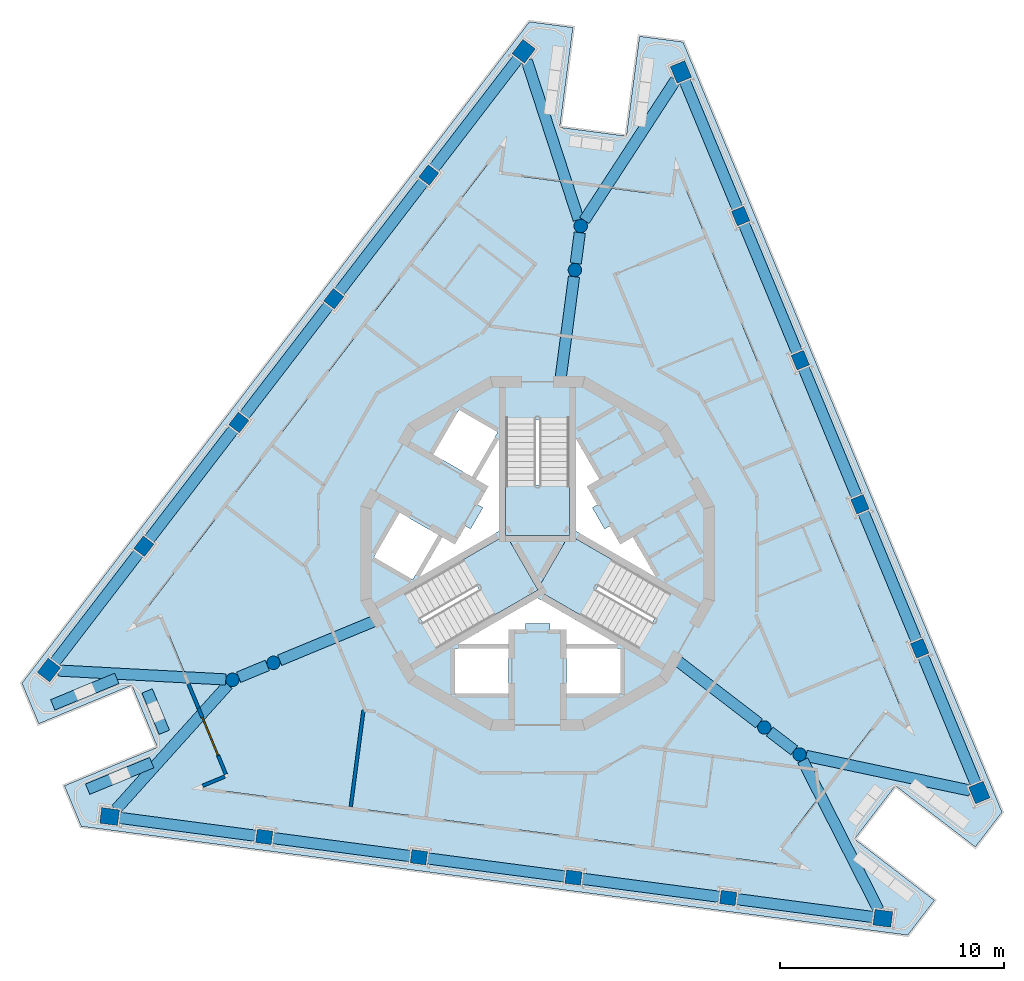
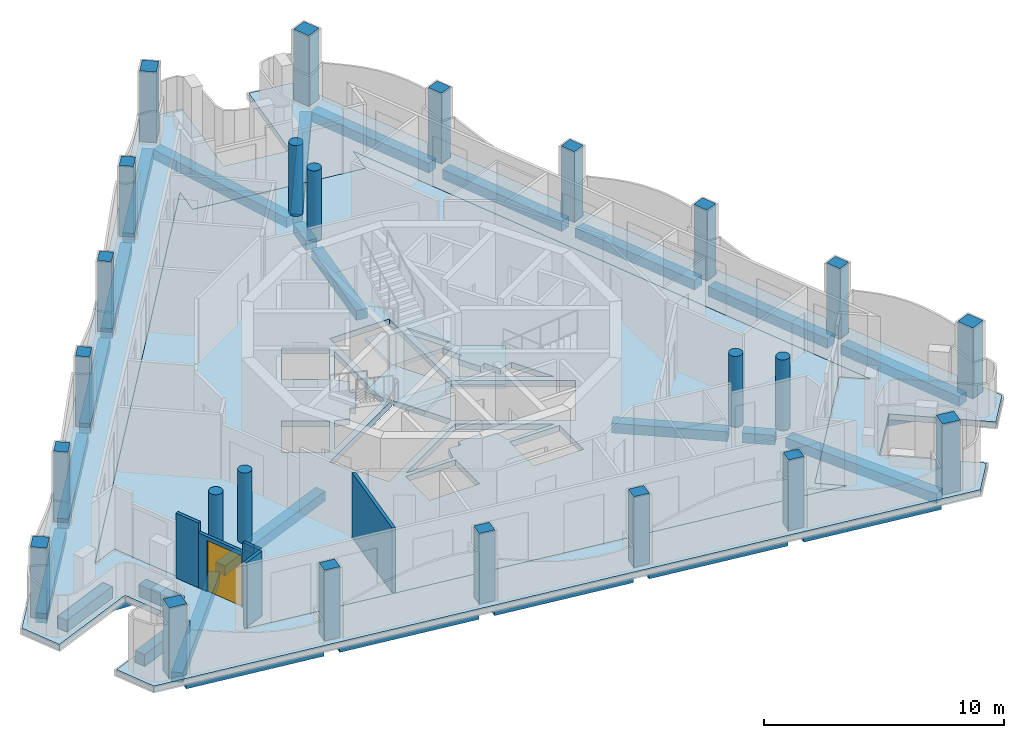
# One storey, part 1 of 13: 27 beams, 24 columns, 8 walls, 6 slabs, 1 door, 1 opening, 3 elements without a shape of their own.
"""IFC4 building model written with IfcOpenShell, lengths in metres."""

from ifc_helpers import new_model, si_unit, direction, frame, frame_2d, origin, origin_2d, place, context, subcontext, project, spatial, polyline, rectangle, circle, outline, extrude, material, layer, layer_set, material_profile, profile_set, type_object, element, fill, aggregate, save


model = new_model("IFC4")

# Units and contexts
model_context = context("Model", 3, precision=1e-05, world=origin(), true_north=direction((0.0, 1.0)))
body_context = subcontext(model_context, "Body", "Model", "MODEL_VIEW")
ifc_project = project(units=[si_unit("LENGTHUNIT", "METRE"), si_unit("AREAUNIT", "SQUARE_METRE"), si_unit("VOLUMEUNIT", "CUBIC_METRE"), si_unit("PLANEANGLEUNIT", "RADIAN"), si_unit("MASSUNIT", "GRAM", prefix="KILO")], contexts=[model_context])

# Site, building, storey
site_placement = place(None, origin())
site = spatial("IfcSite", under=ifc_project, at=site_placement, CompositionType="ELEMENT")
building_placement = place(site_placement, origin())
building = spatial("IfcBuilding", under=site, at=building_placement, Name="Trine Commons Tower", CompositionType="ELEMENT")
storey_placement = place(building_placement, frame((0.0, 0.0, 286.199951171875)))
storey = spatial("IfcBuildingStorey", under=building, at=storey_placement, Name="L75", CompositionType="ELEMENT", Elevation=286.199951171875)

# Columns
ifc_material_1 = material(Name="Concrete C50/60", Category="concrete")
ifc_material_profile_1 = material_profile(ifc_material_1, rectangle(XDim=0.699951171875, YDim=0.60009765625, at=origin_2d()), Name="RC 700x600")
ifc_profile_set_1 = profile_set([ifc_material_profile_1], Name="Concrete C50/60")
column_type_1 = type_object("IfcColumnType", Name="RC column 700x600, C50/60", PredefinedType="COLUMN", material=ifc_profile_set_1)
for number, where, z_axis, x_axis, name in (
    (1, (88.521728515625, 47.098876953125, 0.0), (0.0, 0.0, 1.0), (-0.991444861374, 0.13052619222, 0.0), "Column PC8-02 L75"),
    (2, (81.608642578125, 48.009033203125, 0.0), (0.0, 0.0, 1.0), (-0.991444861374, 0.13052619222, 0.0), "Column PC8-03 L75"),
    (3, (74.695556640625, 48.919189453125, 0.0), (0.0, 0.0, 1.0), (-0.991444861374, 0.13052619222, 0.0), "Column PC8-04 L75"),
    (4, (67.782470703125, 49.8291015625, 0.0), (0.0, 0.0, 1.0), (-0.991444861374, 0.13052619222, 0.0), "Column PC8-05 L75"),
    (5, (62.4013671875, 62.820556640625, 0.0), (0.0, 0.0, 1.0), (0.608761429009, 0.793353340291, 0.0), "Column PC8-08 L75"),
    (6, (66.64599609375, 68.352294921875, 0.0), (0.0, 0.0, 1.0), (0.608761429009, 0.793353340291, 0.0), "Column PC8-09 L75"),
    (7, (70.890869140625, 73.88427734375, 0.0), (0.0, 0.0, 1.0), (0.608761429009, 0.793353340291, 0.0), "Column PC8-10 L75"),
    (8, (75.135498046875, 79.416015625, 0.0), (0.0, 0.0, 1.0), (0.608761429009, 0.793353340291, 0.0), "Column PC8-11 L75"),
    (9, (89.076904296875, 77.58056640625, 0.0), (0.0, 0.0, 1.0), (-0.382683432365, 0.923879532511, 0.0), "Column PC8-14 L75"),
    (10, (91.745361328125, 71.138671875, 0.0), (0.0, 0.0, 1.0), (-0.382683432365, 0.923879532511, 0.0), "Column PC8-15 L75"),
    (11, (94.41357421875, 64.69677734375, 0.0), (0.0, 0.0, 1.0), (-0.382683432365, 0.923879532511, 0.0), "Column PC8-16 L75"),
    (12, (97.081787109375, 58.254638671875, 0.0), (0.0, 0.0, 1.0), (-0.382683432365, 0.923879532511, 0.0), "Column PC8-17 L75"),
):
    element("IfcColumn", number, at=place(storey_placement, frame(where, z_axis=z_axis, x_axis=x_axis)), inside=storey, type_object=column_type_1, Name=name, PredefinedType="COLUMN", context=body_context, shape_type="SweptSolid", body=[
        extrude(rectangle(XDim=0.699951171875, YDim=0.60009765625, at=origin_2d()), origin(), (0.0, 0.0, 1.0), 3.60009765625),
    ])
ifc_material_profile_2 = material_profile(ifc_material_1, rectangle(XDim=0.800048828125, YDim=0.699951171875, at=origin_2d()), Name="RC 800x700")
ifc_profile_set_2 = profile_set([ifc_material_profile_2], Name="Concrete C50/60")
column_type_2 = type_object("IfcColumnType", Name="RC column 800x700, C50/60", PredefinedType="COLUMN", material=ifc_profile_set_2)
for number, where, z_axis, x_axis, name in (
    (13, (95.434814453125, 46.188720703125, 0.0), (0.0, 0.0, 1.0), (-0.991444861374, 0.13052619222, 0.0), "Column PC8-01 L75"),
    (14, (60.869384765625, 50.7392578125, 0.0), (0.0, 0.0, 1.0), (-0.991444861374, 0.13052619222, 0.0), "Column PC8-06 L75"),
    (15, (58.156494140625, 57.288818359375, 0.0), (0.0, 0.0, 1.0), (0.608761429009, 0.793353340291, 0.0), "Column PC8-07 L75"),
    (16, (79.380126953125, 84.947998046875, 0.0), (0.0, 0.0, 1.0), (0.608761429009, 0.793353340291, 0.0), "Column PC8-12 L75"),
    (17, (86.40869140625, 84.022705078125, 0.0), (0.0, 0.0, 1.0), (-0.382683432365, 0.923879532511, 0.0), "Column PC8-13 L75"),
    (18, (99.750244140625, 51.812744140625, 0.0), (0.0, 0.0, 1.0), (-0.382683432365, 0.923879532511, 0.0), "Column PC8-18 L75"),
):
    element("IfcColumn", number, at=place(storey_placement, frame(where, z_axis=z_axis, x_axis=x_axis)), inside=storey, type_object=column_type_2, Name=name, PredefinedType="COLUMN", context=body_context, shape_type="SweptSolid", body=[
        extrude(rectangle(XDim=0.800048828125, YDim=0.699951171875, at=origin_2d()), origin(), (0.0, 0.0, 1.0), 3.60009765625),
    ])
ifc_material_profile_3 = material_profile(ifc_material_1, circle(Radius=0.300048828125, at=origin_2d()), Name="RC round 600")
ifc_profile_set_3 = profile_set([ifc_material_profile_3], Name="Concrete C50/60")
column_type_3 = type_object("IfcColumnType", Name="RC round column 600 mm, C50/60", PredefinedType="COLUMN", material=ifc_profile_set_3)
for number, where, z_axis, x_axis, name in (
    (19, (90.137451171875, 54.72119140625, 0.0), (0.0, 0.0, 1.0), (1.0, 0.0, 0.0), "Column WC8-1 L75"),
    (20, (91.711669921875, 53.513427734375, 0.0), (0.0, 0.0, 1.0), (1.0, 0.0, 0.0), "Column WC8-2 L75"),
    (21, (81.66796875, 75.168701171875, 0.0), (0.0, 0.0, 1.0), (1.0, 0.0, 0.0), "Column WC8-3 L75"),
    (22, (81.927001953125, 77.135986328125, 0.0), (0.0, 0.0, 1.0), (1.0, 0.0, 0.0), "Column WC8-4 L75"),
    (23, (68.194580078125, 57.610107421875, 0.0), (0.0, 0.0, 1.0), (1.0, 0.0, 0.0), "Column WC8-5 L75"),
    (24, (66.361572265625, 56.850830078125, 0.0), (0.0, 0.0, 1.0), (1.0, 0.0, 0.0), "Column WC8-6 L75"),
):
    element("IfcColumn", number, at=place(storey_placement, frame(where, z_axis=z_axis, x_axis=x_axis)), inside=storey, type_object=column_type_3, Name=name, PredefinedType="COLUMN", context=body_context, shape_type="SweptSolid", body=[
        extrude(circle(Radius=0.300048828125, at=origin_2d()), origin(), (0.0, 0.0, 1.0), 3.60009765625),
    ])

# Beams
ifc_material_2 = material(Name="Concrete C40/50", Category="concrete")
ifc_material_profile_4 = material_profile(ifc_material_2, rectangle(XDim=0.5, YDim=0.5, at=origin_2d()), Name="RC 500x500")
ifc_profile_set_4 = profile_set([ifc_material_profile_4], Name="Concrete C40/50")
beam_type = type_object("IfcBeamType", Name="RC beam 500x500, C40/50", PredefinedType="BEAM", material=ifc_profile_set_4)
beam_1_placement = place(storey_placement, frame((95.0380859375, 46.240966796875, -0.550048828125), z_axis=(-0.991444143506, 0.130531644853, 0.0), x_axis=(-0.130531644853, -0.991444143506, 0.0)))
element("IfcBeam", 25, at=beam_1_placement, inside=storey, type_object=beam_type, Name="Beam EB8-01 L75", PredefinedType="BEAM", context=body_context, shape_type="SweptSolid", body=[
    extrude(rectangle(XDim=0.5, YDim=0.5, at=origin_2d()), origin(), (0.0, 0.0, 1.0), 6.22265625),
])
beam_2_placement = place(storey_placement, frame((88.1748046875, 47.14453125, -0.550048828125), z_axis=(-0.9914427663, 0.130542104902, 0.0), x_axis=(-0.130542104902, -0.9914427663, 0.0)))
element("IfcBeam", 26, at=beam_2_placement, inside=storey, type_object=beam_type, Name="Beam EB8-02 L75", PredefinedType="BEAM", context=body_context, shape_type="SweptSolid", body=[
    extrude(rectangle(XDim=0.5, YDim=0.5, at=origin_2d()), origin(), (0.0, 0.0, 1.0), 6.272705078125),
])
for number, where, z_axis, x_axis, name in (
    (27, (81.26171875, 48.0546875, -0.550048828125), (-0.991448465824, 0.130498810784, 0.0), (-0.130498810784, -0.991448465824, 0.0), "Beam EB8-03 L75"),
    (28, (74.3486328125, 48.96484375, -0.550048828125), (-0.991448465824, 0.130498810784, 0.0), (-0.130498810784, -0.991448465824, 0.0), "Beam EB8-04 L75"),
):
    element("IfcBeam", number, at=place(storey_placement, frame(where, z_axis=z_axis, x_axis=x_axis)), inside=storey, type_object=beam_type, Name=name, PredefinedType="BEAM", context=body_context, shape_type="SweptSolid", body=[
        extrude(rectangle(XDim=0.5, YDim=0.5, at=origin_2d()), origin(), (0.0, 0.0, 1.0), 6.27294921875),
    ])
for number, where, z_axis, x_axis, name in (
    (29, (67.435546875, 49.875, -0.550048828125), (-0.991449220248, 0.130493079009, 0.0), (-0.130493079009, -0.991449220248, 0.0), "Beam EB8-05 L75"),
    (30, (58.400146484375, 57.60595703125, -0.550048828125), (0.60875848978, 0.793355595632, 0.0), (-0.793355595632, 0.60875848978, 0.0), "Beam EB8-06 L75"),
):
    element("IfcBeam", number, at=place(storey_placement, frame(where, z_axis=z_axis, x_axis=x_axis)), inside=storey, type_object=beam_type, Name=name, PredefinedType="BEAM", context=body_context, shape_type="SweptSolid", body=[
        extrude(rectangle(XDim=0.5, YDim=0.5, at=origin_2d()), origin(), (0.0, 0.0, 1.0), 6.22265625),
    ])
for number, where, z_axis, x_axis, name in (
    (31, (62.614501953125, 63.09814453125, -0.550048828125), (0.608756693169, 0.793356974206, 0.0), (-0.793356974206, 0.608756693169, 0.0), "Beam EB8-07 L75"),
    (32, (66.859130859375, 68.630126953125, -0.550048828125), (0.608775490712, 0.793342550169, 0.0), (-0.793342550169, 0.608775490712, 0.0), "Beam EB8-08 L75"),
):
    element("IfcBeam", number, at=place(storey_placement, frame(where, z_axis=z_axis, x_axis=x_axis)), inside=storey, type_object=beam_type, Name=name, PredefinedType="BEAM", context=body_context, shape_type="SweptSolid", body=[
        extrude(rectangle(XDim=0.5, YDim=0.5, at=origin_2d()), origin(), (0.0, 0.0, 1.0), 6.272705078125),
    ])
beam_3_placement = place(storey_placement, frame((71.10400390625, 74.161865234375, -0.550048828125), z_axis=(0.608750992772, 0.793361348188, 0.0), x_axis=(-0.793361348188, 0.608750992772, 0.0)))
element("IfcBeam", 33, at=beam_3_placement, inside=storey, type_object=beam_type, Name="Beam EB8-09 L75", PredefinedType="BEAM", context=body_context, shape_type="SweptSolid", body=[
    extrude(rectangle(XDim=0.5, YDim=0.5, at=origin_2d()), origin(), (0.0, 0.0, 1.0), 6.2724609375),
])
beam_4_placement = place(storey_placement, frame((75.3486328125, 79.693603515625, -0.550048828125), z_axis=(0.60873954155, 0.793370134649, 0.0), x_axis=(-0.793370134649, 0.60873954155, 0.0)))
element("IfcBeam", 34, at=beam_4_placement, inside=storey, type_object=beam_type, Name="Beam EB8-10 L75", PredefinedType="BEAM", context=body_context, shape_type="SweptSolid", body=[
    extrude(rectangle(XDim=0.5, YDim=0.5, at=origin_2d()), origin(), (0.0, 0.0, 1.0), 6.222900390625),
])
beam_5_placement = place(storey_placement, frame((86.561767578125, 83.653076171875, -0.550048828125), z_axis=(0.382686748804, -0.92387815879, 0.0), x_axis=(0.92387815879, 0.382686748804, 0.0)))
element("IfcBeam", 35, at=beam_5_placement, inside=storey, type_object=beam_type, Name="Beam EB8-11 L75", PredefinedType="BEAM", context=body_context, shape_type="SweptSolid", body=[
    extrude(rectangle(XDim=0.5, YDim=0.5, at=origin_2d()), origin(), (0.0, 0.0, 1.0), 6.22265625),
])
beam_6_placement = place(storey_placement, frame((89.210693359375, 77.257080078125, -0.550048828125), z_axis=(0.382724191967, -0.923862648278, 0.0), x_axis=(0.923862648278, 0.382724191967, 0.0)))
element("IfcBeam", 36, at=beam_6_placement, inside=storey, type_object=beam_type, Name="Beam EB8-12 L75", PredefinedType="BEAM", context=body_context, shape_type="SweptSolid", body=[
    extrude(rectangle(XDim=0.5, YDim=0.5, at=origin_2d()), origin(), (0.0, 0.0, 1.0), 6.2724609375),
])
for number, where, z_axis, x_axis, name in (
    (37, (91.879150390625, 70.815185546875, -0.550048828125), (0.38271043005, -0.923868349242, 0.0), (0.923868349242, 0.38271043005, 0.0), "Beam EB8-13 L75"),
    (38, (94.547607421875, 64.373291015625, -0.550048828125), (0.38267720894, -0.923882110314, 0.0), (0.923882110314, 0.38267720894, 0.0), "Beam EB8-14 L75"),
):
    element("IfcBeam", number, at=place(storey_placement, frame(where, z_axis=z_axis, x_axis=x_axis)), inside=storey, type_object=beam_type, Name=name, PredefinedType="BEAM", context=body_context, shape_type="SweptSolid", body=[
        extrude(rectangle(XDim=0.5, YDim=0.5, at=origin_2d()), origin(), (0.0, 0.0, 1.0), 6.272705078125),
    ])
beam_7_placement = place(storey_placement, frame((97.2158203125, 57.931396484375, -0.550048828125), z_axis=(0.382686748804, -0.92387815879, 0.0), x_axis=(0.92387815879, 0.382686748804, 0.0)))
element("IfcBeam", 39, at=beam_7_placement, inside=storey, type_object=beam_type, Name="Beam EB8-15 L75", PredefinedType="BEAM", context=body_context, shape_type="SweptSolid", body=[
    extrude(rectangle(XDim=0.5, YDim=0.5, at=origin_2d()), origin(), (0.0, 0.0, 1.0), 6.22265625),
])
beam_8_placement = place(storey_placement, frame((61.1533203125, 51.054931640625, -0.550048828125), z_axis=(0.668383038107, 0.743817258721, 0.0), x_axis=(-0.743817258721, 0.668383038107, 0.0)))
element("IfcBeam", 40, at=beam_8_placement, inside=storey, type_object=beam_type, Name="Beam CB8-01 L75", PredefinedType="BEAM", context=body_context, shape_type="SweptSolid", body=[
    extrude(rectangle(XDim=0.5, YDim=0.5, at=origin_2d()), origin(), (0.0, 0.0, 1.0), 7.492431640625),
])
beam_9_placement = place(storey_placement, frame((58.580322265625, 57.26611328125, -0.550048828125), z_axis=(0.998578123195, -0.053307896938, 0.0), x_axis=(0.053307896938, 0.998578123195, 0.0)))
element("IfcBeam", 41, at=beam_9_placement, inside=storey, type_object=beam_type, Name="Beam CB8-02 L75", PredefinedType="BEAM", context=body_context, shape_type="SweptSolid", body=[
    extrude(rectangle(XDim=0.5, YDim=0.5, at=origin_2d()), origin(), (0.0, 0.0, 1.0), 7.49267578125),
])
for number, where, z_axis, x_axis, name in (
    (42, (79.51171875, 84.54443359375, -0.550048828125), (0.309945045927, -0.950754473303, 0.0), (0.950754473303, 0.309945045927, 0.0), "Beam CB8-03 L75"),
    (43, (86.177001953125, 83.6669921875, -0.550048828125), (-0.545439536042, -0.838150173013, 0.0), (0.838150173013, -0.545439536042, 0.0), "Beam CB8-04 L75"),
):
    element("IfcBeam", number, at=place(storey_placement, frame(where, z_axis=z_axis, x_axis=x_axis)), inside=storey, type_object=beam_type, Name=name, PredefinedType="BEAM", context=body_context, shape_type="SweptSolid", body=[
        extrude(rectangle(XDim=0.5, YDim=0.5, at=origin_2d()), origin(), (0.0, 0.0, 1.0), 7.492431640625),
    ])
beam_10_placement = place(storey_placement, frame((99.335205078125, 51.900634765625, -0.550048828125), z_axis=(-0.978346023525, 0.206975984727, 0.0), x_axis=(-0.206975984727, -0.978346023525, 0.0)))
element("IfcBeam", 44, at=beam_10_placement, inside=storey, type_object=beam_type, Name="Beam CB8-05 L75", PredefinedType="BEAM", context=body_context, shape_type="SweptSolid", body=[
    extrude(rectangle(XDim=0.5, YDim=0.5, at=origin_2d()), origin(), (0.0, 0.0, 1.0), 7.49267578125),
])
beam_11_placement = place(storey_placement, frame((95.242431640625, 46.56689453125, -0.550048828125), z_axis=(-0.453121168072, 0.891448936869, 0.0), x_axis=(-0.891448936869, -0.453121168072, 0.0)))
element("IfcBeam", 45, at=beam_11_placement, inside=storey, type_object=beam_type, Name="Beam CB8-06 L75", PredefinedType="BEAM", context=body_context, shape_type="SweptSolid", body=[
    extrude(rectangle(XDim=0.5, YDim=0.5, at=origin_2d()), origin(), (0.0, 0.0, 1.0), 7.492431640625),
])
beam_12_placement = place(storey_placement, frame((86.020751953125, 57.880126953125, -0.550048828125), z_axis=(0.793360362614, -0.60875227723, 0.0), x_axis=(0.60875227723, 0.793360362614, 0.0)))
element("IfcBeam", 46, at=beam_12_placement, inside=storey, type_object=beam_type, Name="Beam RB8-01 L75", PredefinedType="BEAM", context=body_context, shape_type="SweptSolid", body=[
    extrude(rectangle(XDim=0.5, YDim=0.5, at=origin_2d()), origin(), (0.0, 0.0, 1.0), 4.88916015625),
])
beam_13_placement = place(storey_placement, frame((90.375244140625, 54.538818359375, -0.550048828125), z_axis=(0.793350909005, -0.60876459751, 0.0), x_axis=(0.60876459751, 0.793350909005, 0.0)))
element("IfcBeam", 47, at=beam_13_placement, inside=storey, type_object=beam_type, Name="Beam RB8-02 L75", PredefinedType="BEAM", context=body_context, shape_type="SweptSolid", body=[
    extrude(rectangle(XDim=0.5, YDim=0.5, at=origin_2d()), origin(), (0.0, 0.0, 1.0), 1.384765625),
])
beam_14_placement = place(storey_placement, frame((80.990478515625, 70.02392578125, -0.550048828125), z_axis=(0.130570757815, 0.991438993183, 0.0), x_axis=(-0.991438993183, 0.130570757815, 0.0)))
element("IfcBeam", 48, at=beam_14_placement, inside=storey, type_object=beam_type, Name="Beam RB8-03 L75", PredefinedType="BEAM", context=body_context, shape_type="SweptSolid", body=[
    extrude(rectangle(XDim=0.5, YDim=0.5, at=origin_2d()), origin(), (0.0, 0.0, 1.0), 4.889404296875),
])
beam_15_placement = place(storey_placement, frame((81.70703125, 75.4658203125, -0.550048828125), z_axis=(0.130454512571, 0.991454295543, 0.0), x_axis=(-0.991454295543, 0.130454512571, 0.0)))
element("IfcBeam", 49, at=beam_15_placement, inside=storey, type_object=beam_type, Name="Beam RB8-04 L75", PredefinedType="BEAM", context=body_context, shape_type="SweptSolid", body=[
    extrude(rectangle(XDim=0.5, YDim=0.5, at=origin_2d()), origin(), (0.0, 0.0, 1.0), 1.384765625),
])
beam_16_placement = place(storey_placement, frame((72.98876953125, 59.595703125, -0.550048828125), z_axis=(-0.923885978684, -0.382667869556, 0.0), x_axis=(0.382667869556, -0.923885978684, 0.0)))
element("IfcBeam", 50, at=beam_16_placement, inside=storey, type_object=beam_type, Name="Beam RB8-05 L75", PredefinedType="BEAM", context=body_context, shape_type="SweptSolid", body=[
    extrude(rectangle(XDim=0.5, YDim=0.5, at=origin_2d()), origin(), (0.0, 0.0, 1.0), 4.888916015625),
])
beam_17_placement = place(storey_placement, frame((67.91748046875, 57.495361328125, -0.550048828125), z_axis=(-0.923857745483, -0.38273602667, 0.0), x_axis=(0.38273602667, -0.923857745483, 0.0)))
element("IfcBeam", 51, at=beam_17_placement, inside=storey, type_object=beam_type, Name="Beam RB8-06 L75", PredefinedType="BEAM", context=body_context, shape_type="SweptSolid", body=[
    extrude(rectangle(XDim=0.5, YDim=0.5, at=origin_2d()), origin(), (0.0, 0.0, 1.0), 1.38427734375),
])

# Slabs
ifc_layer_1 = layer(ifc_material_2, 0.300048828125)
ifc_layer_set_1 = layer_set([ifc_layer_1], Name="Concrete C40/50")
slab_type_1 = type_object("IfcSlabType", Name="Loggia slab 300 mm, C40/50", PredefinedType="FLOOR", material=ifc_layer_set_1)
slab_1_placement = place(storey_placement, frame((0.0, 0.0, -0.300048828125)))
element("IfcSlab", 52, at=slab_1_placement, inside=storey, type_object=slab_type_1, Name="Loggia slab L75", PredefinedType="FLOOR", context=body_context, shape_type="SweptSolid", body=[
    extrude(outline(polyline([(100.763916015625, 50.933837890625), (86.503662109375, 85.36083984375), (84.556396484375, 85.6171875), (83.968994140625, 81.15576171875), (80.99462890625, 81.54736328125), (81.58203125, 86.0087890625), (79.634765625, 86.26513671875), (56.9501953125, 56.701904296875), (57.70166015625, 54.88720703125), (61.859130859375, 56.609375), (63.007080078125, 53.837890625), (58.849853515625, 52.11572265625), (59.601318359375, 50.301025390625), (96.546142578125, 45.437255859375), (97.741943359375, 46.99560546875), (94.171875, 49.73486328125), (95.998046875, 52.114990234375), (99.568115234375, 49.37548828125), (100.763916015625, 50.933837890625)]), holes=[polyline([(63.158203125, 59.7451171875), (66.14306640625, 52.538818359375), (64.900390625, 52.024169921875), (91.873779296875, 48.47314453125), (90.806640625, 49.2919921875), (95.55517578125, 55.47998046875), (96.6220703125, 54.6611328125), (86.210693359375, 79.79638671875), (86.03515625, 78.462890625), (78.302001953125, 79.481201171875), (78.4775390625, 80.814697265625), (61.915283203125, 59.23046875), (63.158203125, 59.7451171875)])]), origin(), (0.0, 0.0, 1.0), 0.300048828125),
])
ifc_layer_2 = layer(ifc_material_2, 0.300048828125)
ifc_layer_set_2 = layer_set([ifc_layer_2], Name="Concrete C40/50")
slab_type_2 = type_object("IfcSlabType", Name="PT flat slab 300 mm, C40/50", PredefinedType="FLOOR", material=ifc_layer_set_2)
slab_2_placement = place(storey_placement, frame((0.0, 0.0, -0.300048828125)))
element("IfcSlab", 53, at=slab_2_placement, inside=storey, type_object=slab_type_2, Name="Floor slab L75", PredefinedType="FLOOR", context=body_context, shape_type="SweptSolid", body=[
    extrude(outline(polyline([(61.915283203125, 59.23046875), (63.158203125, 59.7451171875), (66.14306640625, 52.538818359375), (64.900390625, 52.024169921875), (91.873779296875, 48.47314453125), (90.806640625, 49.2919921875), (95.55517578125, 55.47998046875), (96.6220703125, 54.6611328125), (86.210693359375, 79.79638671875), (86.03515625, 78.462890625), (78.302001953125, 79.481201171875), (78.4775390625, 80.814697265625), (61.915283203125, 59.23046875)]), holes=[polyline([(78.699951171875, 56.25), (78.699951171875, 58.25), (76.300048828125, 58.25), (76.300048828125, 56.25), (78.699951171875, 56.25)]), polyline([(83.699951171875, 56.25), (83.699951171875, 58.25), (81.300048828125, 58.25), (81.300048828125, 56.25), (83.699951171875, 56.25)]), polyline([(81.300048828125, 58.449951171875), (83.56494140625, 58.449951171875), (80.0, 60.508056640625), (76.43505859375, 58.449951171875), (78.699951171875, 58.449951171875), (78.85009765625, 59.10009765625), (79.449951171875, 59.10009765625), (79.449951171875, 59.360107421875), (80.550048828125, 59.360107421875), (80.550048828125, 59.10009765625), (81.14990234375, 59.10009765625), (81.300048828125, 58.449951171875)]), polyline([(81.425048828125, 63.32275390625), (81.425048828125, 68.490478515625), (78.574951171875, 68.490478515625), (78.574951171875, 63.32275390625), (74.099609375, 60.73876953125), (75.5244140625, 58.2705078125), (80.0, 60.8544921875), (84.4755859375, 58.2705078125), (85.900390625, 60.73876953125), (81.425048828125, 63.32275390625)]), polyline([(72.687255859375, 62.333984375), (74.41943359375, 61.333984375), (75.5693359375, 63.325927734375), (73.83740234375, 64.325927734375), (72.687255859375, 62.333984375)]), polyline([(76.381103515625, 63.031005859375), (75.742919921875, 63.22607421875), (74.7099609375, 61.43798828125), (78.27490234375, 63.49609375), (78.27490234375, 67.612060546875), (77.242919921875, 65.823974609375), (77.73095703125, 65.368896484375), (77.3310546875, 64.676025390625), (77.555908203125, 64.5458984375), (77.006103515625, 63.593994140625), (76.781005859375, 63.722900390625), (76.381103515625, 63.031005859375)]), polyline([(82.993896484375, 63.593994140625), (82.444091796875, 64.5458984375), (82.72705078125, 64.7099609375), (82.281005859375, 65.549072265625), (82.757080078125, 65.823974609375), (81.72509765625, 67.612060546875), (81.72509765625, 63.49609375), (85.2900390625, 61.43798828125), (84.257080078125, 63.22607421875), (83.618896484375, 63.031005859375), (83.243896484375, 63.738037109375), (82.993896484375, 63.593994140625)]), polyline([(76.4873046875, 68.916015625), (75.33740234375, 66.924072265625), (77.0693359375, 65.924072265625), (78.219482421875, 67.916015625), (76.4873046875, 68.916015625)])]), origin(), (0.0, 0.0, 1.0), 0.300048828125),
])
slab_3_placement = place(storey_placement, frame((0.0, 0.0, -0.300048828125)))
element("IfcSlab", 54, at=slab_3_placement, inside=storey, type_object=slab_type_2, Name="Floor slab L75 2", PredefinedType="FLOOR", context=body_context, shape_type="SweptSolid", body=[
    extrude(outline(polyline([(81.38671875, 63.300537109375), (78.61328125, 63.300537109375), (80.0, 60.89892578125), (81.38671875, 63.300537109375)])), origin(), (0.0, 0.0, 1.0), 0.300048828125),
])

# Stair, slab
stair_type = type_object("IfcStairType", Name="Exit stair, dog-leg, 24 risers of 150 mm", PredefinedType="HALF_TURN_STAIR", material=ifc_material_1)
stair_1_placement = place(storey_placement, origin())
stair_1 = element("IfcStair", 55, at=stair_1_placement, inside=storey, type_object=stair_type, Name="L75 Exit stair ST1D", PredefinedType="HALF_TURN_STAIR")
ifc_layer_3 = layer(ifc_material_1, 0.199951171875)
ifc_layer_set_3 = layer_set([ifc_layer_3], Name="Concrete C50/60")
slab_type_3 = type_object("IfcSlabType", Name="Stair landing slab 200 mm, C50/60", PredefinedType="LANDING", material=ifc_layer_set_3)
slab_4_placement = place(storey_placement, frame((0.0, 0.0, 1.60009765625)))
slab_4 = element("IfcSlab", 56, at=slab_4_placement, type_object=slab_type_3, Name="ST1D landing 1", PredefinedType="LANDING", context=body_context, shape_type="SweptSolid", body=[
    extrude(outline(polyline([(78.574951171875, 65.570556640625), (78.574951171875, 63.300537109375), (81.425048828125, 63.300537109375), (81.425048828125, 65.570556640625), (78.574951171875, 65.570556640625)])), origin(), (0.0, 0.0, 1.0), 0.199951171875),
])
aggregate(stair_1, [slab_4])

stair_2_placement = place(storey_placement, origin())
stair_2 = element("IfcStair", 57, at=stair_2_placement, inside=storey, type_object=stair_type, Name="L75 Exit stair ST2D", PredefinedType="HALF_TURN_STAIR")
slab_5_placement = place(storey_placement, frame((0.0, 0.0, 1.60009765625)))
slab_5 = element("IfcSlab", 58, at=slab_5_placement, type_object=slab_type_3, Name="ST2D landing 1", PredefinedType="LANDING", context=body_context, shape_type="SweptSolid", body=[
    extrude(outline(polyline([(78.05322265625, 59.730712890625), (80.019287109375, 60.86572265625), (78.59423828125, 63.333740234375), (76.628173828125, 62.19873046875), (78.05322265625, 59.730712890625)])), origin(), (0.0, 0.0, 1.0), 0.199951171875),
])
aggregate(stair_2, [slab_5])

stair_3_placement = place(storey_placement, origin())
stair_3 = element("IfcStair", 59, at=stair_3_placement, inside=storey, type_object=stair_type, Name="L75 Exit stair ST3D", PredefinedType="HALF_TURN_STAIR")
slab_6_placement = place(storey_placement, frame((0.0, 0.0, 1.60009765625)))
slab_6 = element("IfcSlab", 60, at=slab_6_placement, type_object=slab_type_3, Name="ST3D landing 1", PredefinedType="LANDING", context=body_context, shape_type="SweptSolid", body=[
    extrude(outline(polyline([(83.371826171875, 62.19873046875), (81.40576171875, 63.333740234375), (79.980712890625, 60.86572265625), (81.94677734375, 59.730712890625), (83.371826171875, 62.19873046875)])), origin(), (0.0, 0.0, 1.0), 0.199951171875),
])
aggregate(stair_3, [slab_6])

# Walls
ifc_material_3 = material(Name="Aluminium-framed insulated wall panel", Category="aluminium")
ifc_layer_4 = layer(ifc_material_3, 0.14990234375)
ifc_layer_set_4 = layer_set([ifc_layer_4], Name="Aluminium-framed insulated wall panel")
wall_type_1 = type_object("IfcWallType", Name="Glazed frame wall 150, EI 60", PredefinedType="SOLIDWALL", material=ifc_layer_set_4)
wall_1_placement = place(storey_placement, frame((64.886962890625, 52.056396484375, 0.0), z_axis=(0.0, 0.0, 1.0), x_axis=(0.923837625967, 0.382784588048, 0.0)))
element("IfcWall", 61, at=wall_1_placement, inside=storey, type_object=wall_type_1, Name="Glazed frame wall R10", PredefinedType="SOLIDWALL", context=body_context, shape_type="SweptSolid", body=[
    extrude(outline(polyline([(0.1494140625, 0.074951171875), (0.1494140625, -0.074951171875), (1.235107421875, -0.074951171875), (1.235107421875, 0.074951171875), (0.1494140625, 0.074951171875)])), origin(), (0.0, 0.0, 1.0), 3.300048828125),
])
wall_2_placement = place(storey_placement, frame((66.110595703125, 52.525390625, 0.0), z_axis=(0.0, 0.0, 1.0), x_axis=(-0.382517086072, 0.923948417858, 0.0)))
element("IfcWall", 62, at=wall_2_placement, inside=storey, type_object=wall_type_1, Name="Glazed frame wall P3.1", PredefinedType="SOLIDWALL", context=body_context, shape_type="SweptSolid", body=[
    extrude(outline(polyline([(0.110107421875, -0.074951171875), (1.0, -0.074951171875), (1.0, 0.074951171875), (0.110107421875, 0.074951171875), (0.110107421875, -0.074951171875)])), origin(), (0.0, 0.0, 1.0), 3.300048828125),
])

# Wall, opening, door
wall_3_placement = place(storey_placement, frame((65.72802734375, 53.449462890625, 0.0), z_axis=(0.0, 0.0, 1.0), x_axis=(-0.382693948857, 0.923875176368, 0.0)))
wall_3 = element("IfcWall", 63, at=wall_3_placement, inside=storey, type_object=wall_type_1, Name="Glazed frame wall P3.2", PredefinedType="SOLIDWALL", context=body_context, shape_type="SweptSolid", body=[
    extrude(outline(polyline([(0.0, -0.074951171875), (2.310791015625, -0.074951171875), (2.310791015625, 0.074951171875), (0.0, 0.074951171875), (0.0, -0.074951171875)])), origin(), (0.0, 0.0, 1.0), 2.800048828125),
])
opening_placement = place(wall_3_placement, frame((0.050048828125, 0.0, 0.0)))
opening = element("IfcOpeningElement", 64, at=opening_placement, cuts=wall_3, Name="Opening BD-8P3-01", PredefinedType="OPENING", context=body_context, shape_type="SweptSolid", body=[
    extrude(rectangle(XDim=1.800048828125, YDim=2.60009765625, at=frame_2d((0.89990234375, 1.300048828125))), frame((0.0, 0.0849609375, 0.0), z_axis=(0.0, -1.0, 0.0), x_axis=(1.0, 0.0, 0.0)), (0.0, 0.0, 1.0), 0.169921875),
])
ifc_material_4 = material(Name="Anodised aluminium frame with double glazing", Category="aluminium")
door_type = type_object("IfcDoorType", Name="Sliding loggia door 1800x2600", OperationType="SLIDING_TO_LEFT", PredefinedType="DOOR", material=ifc_material_4)
door_placement = place(opening_placement, origin())
door = element("IfcDoor", 65, at=door_placement, inside=storey, type_object=door_type, Name="Loggia door P3 1", OperationType="SLIDING_TO_LEFT", OverallHeight=2.60009765625, OverallWidth=1.800048828125, PredefinedType="DOOR", context=body_context, shape_type="SweptSolid", body=[
    extrude(rectangle(XDim=1.800048828125, YDim=2.60009765625, at=frame_2d((0.89990234375, 1.300048828125))), frame((0.0, 0.02490234375, 0.0), z_axis=(0.0, -1.0, 0.0), x_axis=(1.0, 0.0, 0.0)), (0.0, 0.0, 1.0), 0.050048828125),
])
fill(opening, door)

# Walls
wall_4_placement = place(storey_placement, frame((64.84375, 55.584228515625, 0.0), z_axis=(0.0, 0.0, 1.0), x_axis=(-0.382790839847, 0.923835035561, 0.0)))
element("IfcWall", 66, at=wall_4_placement, inside=storey, type_object=wall_type_1, Name="Glazed frame wall P3.3", PredefinedType="SOLIDWALL", context=body_context, shape_type="SweptSolid", body=[
    extrude(outline(polyline([(0.0, -0.074951171875), (1.1787109375, -0.074951171875), (1.1787109375, 0.074951171875), (0.0, 0.074951171875), (0.0, -0.074951171875)])), origin(), (0.0, 0.0, 1.0), 3.300048828125),
])
ifc_material_5 = material(Name="Planter trough, precast concrete C40/50", Category="concrete")
ifc_layer_5 = layer(ifc_material_5, 0.5)
ifc_layer_set_5 = layer_set([ifc_layer_5], Name="Planter trough, precast concrete C40/50")
wall_type_2 = type_object("IfcWallType", Name="Planter trough 500x600", PredefinedType="PARAPET", material=ifc_layer_set_5)
wall_5_placement = place(storey_placement, frame((59.887939453125, 51.961181640625, 0.0), z_axis=(0.0, 0.0, 1.0), x_axis=(0.923883411188, 0.382674068277, 0.0)))
element("IfcWall", 67, at=wall_5_placement, inside=storey, type_object=wall_type_2, Name="Planter 1", PredefinedType="PARAPET", context=body_context, shape_type="SweptSolid", body=[
    extrude(rectangle(XDim=3.099853515625, YDim=0.5, at=frame_2d((1.5498046875, 0.0))), origin(), (0.0, 0.0, 1.0), 0.60009765625),
])
wall_6_placement = place(storey_placement, frame((63.314697265625, 54.50634765625, 0.0), z_axis=(0.0, 0.0, 1.0), x_axis=(-0.382707581205, 0.923869529365, 0.0)))
element("IfcWall", 68, at=wall_6_placement, inside=storey, type_object=wall_type_2, Name="Planter 2", PredefinedType="PARAPET", context=body_context, shape_type="SweptSolid", body=[
    extrude(rectangle(XDim=2.0, YDim=0.5, at=frame_2d((1.0, 0.0))), origin(), (0.0, 0.0, 1.0), 0.60009765625),
])
wall_7_placement = place(storey_placement, frame((61.190673828125, 56.9169921875, 0.0), z_axis=(0.0, 0.0, 1.0), x_axis=(-0.923883411188, -0.382674068277, 0.0)))
element("IfcWall", 69, at=wall_7_placement, inside=storey, type_object=wall_type_2, Name="Planter 3", PredefinedType="PARAPET", context=body_context, shape_type="SweptSolid", body=[
    extrude(rectangle(XDim=3.099853515625, YDim=0.5, at=frame_2d((1.5498046875, 0.0))), origin(), (0.0, 0.0, 1.0), 0.60009765625),
])
ifc_material_6 = material(Name="Gypsum plasterboard on steel stud", Category="steel")
ifc_layer_6 = layer(ifc_material_6, 0.14990234375)
ifc_layer_set_6 = layer_set([ifc_layer_6], Name="Gypsum plasterboard on steel stud")
wall_type_3 = type_object("IfcWallType", Name="Unit and corridor wall 150 mm, EI 60", PredefinedType="PARTITIONING", material=ifc_layer_set_6)
wall_8_placement = place(storey_placement, frame((71.649169921875, 51.17578125, 0.0), z_axis=(0.0, 0.0, 1.0), x_axis=(0.130454512571, 0.991454295543, 0.0)))
element("IfcWall", 70, at=wall_8_placement, inside=storey, type_object=wall_type_3, Name="Partition 010", PredefinedType="PARTITIONING", context=body_context, shape_type="SweptSolid", body=[
    extrude(rectangle(XDim=4.360595703125, YDim=0.14990234375, at=frame_2d((2.18017578125, 0.0))), origin(), (0.0, 0.0, 1.0), 3.300048828125),
])

save(model, "model.ifc")
